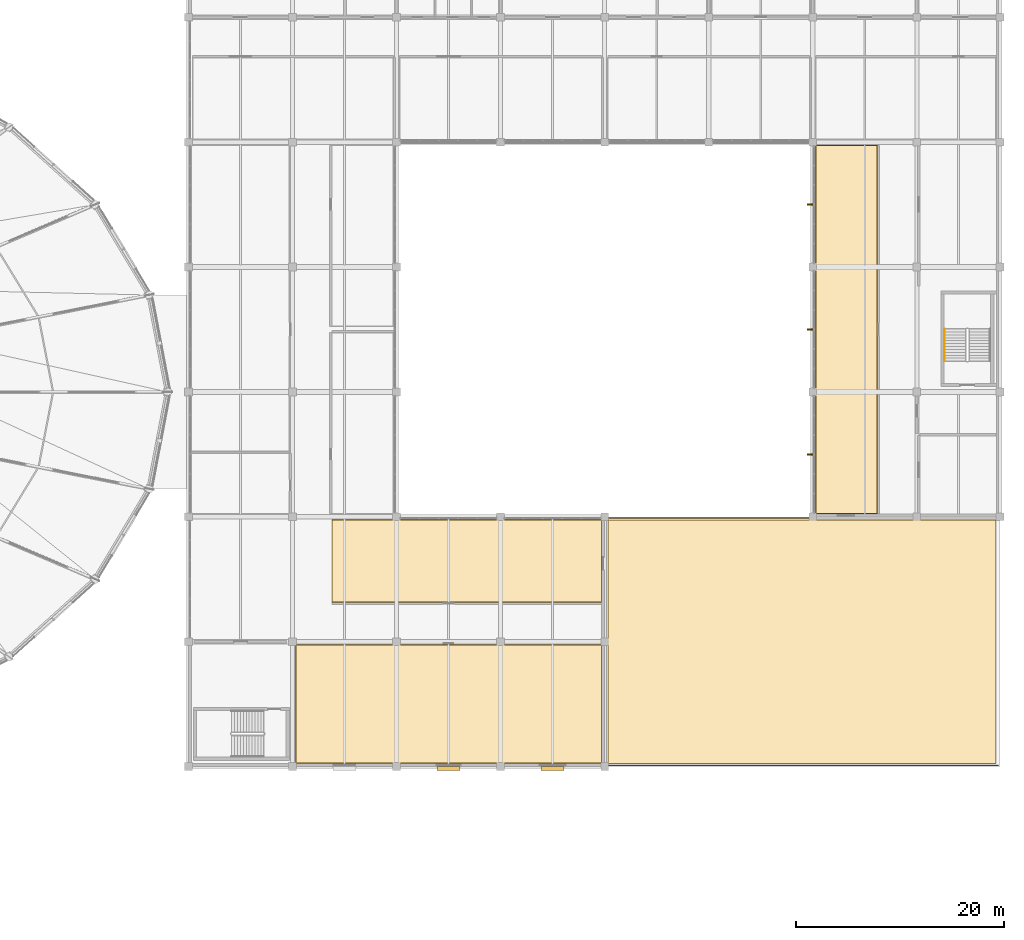
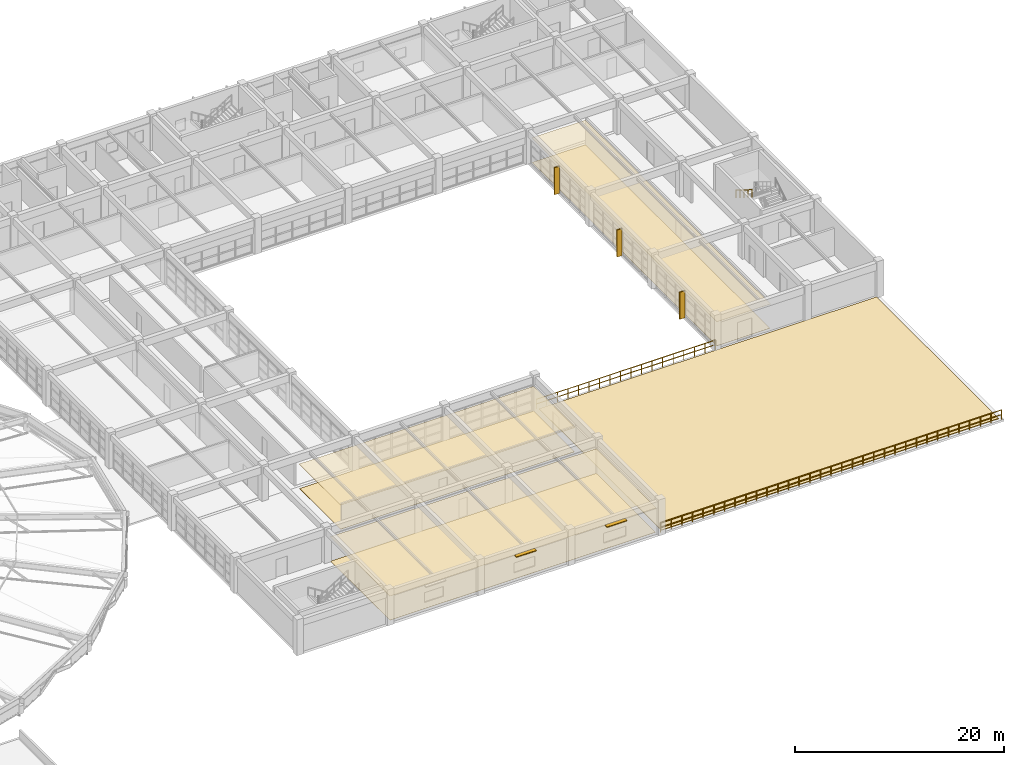
# One storey, part 80 of 83: 7 coverings, 5 shading devices, 3 railings.
"""IFC4 building model written with IfcOpenShell, lengths in metres."""

from ifc_helpers import new_model, si_unit, direction, frame, origin, origin_2d, place, context, subcontext, project, spatial, polyline, rectangle, circle, outline, extrude, material, layer, layer_set, type_object, element, save


model = new_model("IFC4")

# Units and contexts
model_context = context("Model", 3, precision=1e-05, world=origin(), true_north=direction((0.0, 1.0)))
body_context = subcontext(model_context, "Body", "Model", "MODEL_VIEW")
ifc_project = project(units=[si_unit("LENGTHUNIT", "METRE"), si_unit("AREAUNIT", "SQUARE_METRE"), si_unit("VOLUMEUNIT", "CUBIC_METRE"), si_unit("PLANEANGLEUNIT", "RADIAN"), si_unit("MASSUNIT", "GRAM", prefix="KILO")], contexts=[model_context])

# Site, building, storey
site_placement = place(None, origin())
site = spatial("IfcSite", under=ifc_project, at=site_placement, CompositionType="ELEMENT")
building_placement = place(site_placement, origin())
building = spatial("IfcBuilding", under=site, at=building_placement, Name="Kivolera Central Railway Station", CompositionType="ELEMENT")
storey_placement = place(building_placement, frame((0.0, 0.0, 14.39990234375)))
storey = spatial("IfcBuildingStorey", under=building, at=storey_placement, Name="L03", CompositionType="ELEMENT", Elevation=14.39990234375)

# Shading devices
ifc_material_1 = material(Name="Precast concrete C40/50", Category="concrete")
shading_device_type_1 = type_object("IfcShadingDeviceType", Name="BS-FIN-CRT", PredefinedType="USERDEFINED", material=ifc_material_1)
for number, where, z_axis, x_axis, name in (
    (1, (177.735107421875, 84.0, 0.000244140625), (0.0, 0.0, 1.0), (1.0, 0.0, 0.0), "L03 Courtyard East Solar Brise-Soleil Fin G"),
    (2, (177.735107421875, 96.0, 0.000244140625), (0.0, 0.0, 1.0), (1.0, 0.0, 0.0), "L03 Courtyard East Solar Brise-Soleil Fin H"),
    (3, (177.735107421875, 108.0, 0.000244140625), (0.0, 0.0, 1.0), (1.0, 0.0, 0.0), "L03 Courtyard East Solar Brise-Soleil Fin J"),
):
    element("IfcShadingDevice", number, at=place(storey_placement, frame(where, z_axis=z_axis, x_axis=x_axis)), inside=storey, type_object=shading_device_type_1, Name=name, ObjectType="FIN", PredefinedType="USERDEFINED", context=body_context, shape_type="SweptSolid", body=[
        extrude(rectangle(XDim=0.550048828125, YDim=0.139892578125, at=origin_2d()), origin(), (0.0, 0.0, 1.0), 3.14990234375),
    ])
ifc_material_2 = material(Name="Anodised aluminium", Category="aluminium")
ifc_layer_1 = layer(ifc_material_2, 0.080078125, Name="Anodised aluminium")
ifc_layer_set_1 = layer_set([ifc_layer_1], Name="Anodised aluminium")
shading_device_type_2 = type_object("IfcShadingDeviceType", Name="BS-LVR-B", PredefinedType="JALOUSIE", material=ifc_layer_set_1)
for number, where, z_axis, x_axis, name in (
    (4, (143.0, 53.80810546875, 3.010009765625), (0.0, 0.0, 1.0), (1.0, 0.0, 0.0), "L03 South Monsoon Window Sun-Louvre 138"),
    (5, (153.0, 53.80810546875, 3.010009765625), (0.0, 0.0, 1.0), (1.0, 0.0, 0.0), "L03 South Monsoon Window Sun-Louvre 148"),
):
    element("IfcShadingDevice", number, at=place(storey_placement, frame(where, z_axis=z_axis, x_axis=x_axis)), inside=storey, type_object=shading_device_type_2, Name=name, PredefinedType="JALOUSIE", context=body_context, shape_type="SweptSolid", body=[
        extrude(rectangle(XDim=2.199951171875, YDim=0.39990234375, at=origin_2d()), origin(), (0.0, 0.0, 1.0), 0.080078125),
    ])

# Coverings
ifc_material_3 = material(Name="Mineral fibre acoustic tile")
ifc_layer_2 = layer(ifc_material_3, 0.02001953125, Name="Mineral fibre acoustic tile")
ifc_layer_set_2 = layer_set([ifc_layer_2], Name="Mineral fibre acoustic tile")
covering_type_1 = type_object("IfcCoveringType", Name="COV-CEIL-20", PredefinedType="CEILING", material=ifc_layer_set_2)
covering_1_placement = place(storey_placement, frame((0.0, 0.0, 2.85009765625)))
element("IfcCovering", 6, at=covering_1_placement, inside=storey, type_object=covering_type_1, Name="L03 Monsoon Overlook Civic Reception Lounge Acoustic Ceiling", PredefinedType="CEILING", context=body_context, shape_type="SweptSolid", body=[
    extrude(outline(polyline([(178.280029296875, 78.280029296875), (184.219970703125, 78.280029296875), (184.219970703125, 113.719970703125), (178.280029296875, 113.719970703125), (178.280029296875, 78.280029296875)])), origin(), (0.0, 0.0, 1.0), 0.02001953125),
])
covering_2_placement = place(storey_placement, frame((0.0, 0.0, 2.85009765625)))
element("IfcCovering", 7, at=covering_2_placement, inside=storey, type_object=covering_type_1, Name="L03 Human Resources and Legal Office Acoustic Ceiling", PredefinedType="CEILING", context=body_context, shape_type="SweptSolid", body=[
    extrude(outline(polyline([(128.280029296875, 54.280029296875), (157.719970703125, 54.280029296875), (157.719970703125, 65.719970703125), (128.280029296875, 65.719970703125), (128.280029296875, 54.280029296875)])), origin(), (0.0, 0.0, 1.0), 0.02001953125),
])
ifc_material_4 = material(Name="Hardwood mvule timber", Category="wood")
ifc_layer_3 = layer(ifc_material_4, 0.02490234375, Name="Hardwood mvule timber")
ifc_layer_set_3 = layer_set([ifc_layer_3], Name="Hardwood mvule timber")
covering_type_2 = type_object("IfcCoveringType", Name="COV-CEIL-25", PredefinedType="CEILING", material=ifc_layer_set_3)
covering_3_placement = place(storey_placement, frame((0.0, 0.0, 2.85009765625)))
element("IfcCovering", 8, at=covering_3_placement, inside=storey, type_object=covering_type_2, Name="L03 South Overlook Pavilion Lounge Acoustic Ceiling", PredefinedType="CEILING", context=body_context, shape_type="SweptSolid", body=[
    extrude(outline(polyline([(131.780029296875, 69.780029296875), (157.719970703125, 69.780029296875), (157.719970703125, 77.719970703125), (131.780029296875, 77.719970703125), (131.780029296875, 69.780029296875)])), origin(), (0.0, 0.0, 1.0), 0.02490234375),
])
ifc_material_5 = material(Name="Terracotta clay tile", Category="masonry")
ifc_layer_4 = layer(ifc_material_5, 0.02197265625, Name="Terracotta clay tile")
ifc_layer_set_4 = layer_set([ifc_layer_4], Name="Terracotta clay tile")
covering_type_3 = type_object("IfcCoveringType", Name="COV-FLR-22", PredefinedType="FLOORING", material=ifc_layer_set_4)
covering_4_placement = place(storey_placement, origin())
element("IfcCovering", 9, at=covering_4_placement, inside=storey, type_object=covering_type_3, Name="L03 Monsoon Overlook Civic Reception Lounge Floor Finish", PredefinedType="FLOORING", context=body_context, shape_type="SweptSolid", body=[
    extrude(outline(polyline([(178.320068359375, 78.320068359375), (184.179931640625, 78.320068359375), (184.179931640625, 113.679931640625), (178.320068359375, 113.679931640625), (178.320068359375, 78.320068359375)])), origin(), (0.0, 0.0, 1.0), 0.022216796875),
])
covering_5_placement = place(storey_placement, origin())
element("IfcCovering", 10, at=covering_5_placement, inside=storey, type_object=covering_type_3, Name="L03 Human Resources and Legal Office Floor Finish", PredefinedType="FLOORING", context=body_context, shape_type="SweptSolid", body=[
    extrude(outline(polyline([(128.320068359375, 54.320068359375), (157.679931640625, 54.320068359375), (157.679931640625, 65.679931640625), (128.320068359375, 65.679931640625), (128.320068359375, 54.320068359375)])), origin(), (0.0, 0.0, 1.0), 0.022216796875),
])
covering_6_placement = place(storey_placement, origin())
element("IfcCovering", 11, at=covering_6_placement, inside=storey, type_object=covering_type_3, Name="L03 South Overlook Pavilion Lounge Floor Finish", PredefinedType="FLOORING", context=body_context, shape_type="SweptSolid", body=[
    extrude(outline(polyline([(131.820068359375, 69.820068359375), (157.679931640625, 69.820068359375), (157.679931640625, 77.679931640625), (131.820068359375, 77.679931640625), (131.820068359375, 69.820068359375)])), origin(), (0.0, 0.0, 1.0), 0.022216796875),
])
ifc_layer_5 = layer(ifc_material_5, 0.06494140625, Name="Terracotta clay tile")
ifc_layer_set_5 = layer_set([ifc_layer_5], Name="Terracotta clay tile")
covering_type_4 = type_object("IfcCoveringType", Name="COV-ROOF-TERR-65", PredefinedType="ROOFING", material=ifc_layer_set_5)
covering_7_placement = place(storey_placement, origin())
element("IfcCovering", 12, at=covering_7_placement, inside=storey, type_object=covering_type_4, Name="L03 Monsoon Roof Surfacing COV-L03-TER", PredefinedType="ROOFING", context=body_context, shape_type="SweptSolid", body=[
    extrude(outline(polyline([(158.300048828125, 54.300048828125), (195.60009765625, 54.300048828125), (195.60009765625, 77.699951171875), (158.300048828125, 77.699951171875), (158.300048828125, 54.300048828125)])), origin(), (0.0, 0.0, 1.0), 0.065185546875),
])

# Railings
ifc_layer_6 = layer(ifc_material_2, 0.048095703125, Name="Anodised aluminium")
ifc_layer_set_6 = layer_set([ifc_layer_6], Name="Anodised aluminium")
railing_type_1 = type_object("IfcRailingType", Name="RL-EXT-GUARD-1130", PredefinedType="GUARDRAIL", material=ifc_layer_set_6)
railing_1_placement = place(storey_placement, frame((158.10009765625, 54.10009765625, 0.0)))
element("IfcRailing", 13, at=railing_1_placement, inside=storey, type_object=railing_type_1, Name="L03 Protective Edge Guardrail TER-SE-S", PredefinedType="GUARDRAIL", context=body_context, shape_type="SweptSolid", body=[
    extrude(circle(Radius=0.02392578125, at=origin_2d()), frame((0.0, 0.0, 1.10595703125), z_axis=(1.0, 0.0, 0.0), x_axis=(0.0, 1.0, 0.0)), (0.0, 0.0, 1.0), 37.699951171875),
    extrude(circle(Radius=0.02392578125, at=origin_2d()), frame((0.0, 0.0, 0.56494140625), z_axis=(1.0, 0.0, 0.0), x_axis=(0.0, 1.0, 0.0)), (0.0, 0.0, 1.0), 37.699951171875),
    extrude(circle(Radius=0.02099609375, at=origin_2d()), origin(), (0.0, 0.0, 1.0), 1.081787109375),
    extrude(circle(Radius=0.02099609375, at=origin_2d()), frame((1.17822265625, 0.0, 0.0)), (0.0, 0.0, 1.0), 1.081787109375),
    extrude(circle(Radius=0.02099609375, at=origin_2d()), frame((2.356201171875, 0.0, 0.0)), (0.0, 0.0, 1.0), 1.081787109375),
    extrude(circle(Radius=0.02099609375, at=origin_2d()), frame((3.534423828125, 0.0, 0.0)), (0.0, 0.0, 1.0), 1.081787109375),
    extrude(circle(Radius=0.02099609375, at=origin_2d()), frame((4.71240234375, 0.0, 0.0)), (0.0, 0.0, 1.0), 1.081787109375),
    extrude(circle(Radius=0.02099609375, at=origin_2d()), frame((5.890625, 0.0, 0.0)), (0.0, 0.0, 1.0), 1.081787109375),
    extrude(circle(Radius=0.02099609375, at=origin_2d()), frame((7.06884765625, 0.0, 0.0)), (0.0, 0.0, 1.0), 1.081787109375),
    extrude(circle(Radius=0.02099609375, at=origin_2d()), frame((8.246826171875, 0.0, 0.0)), (0.0, 0.0, 1.0), 1.081787109375),
    extrude(circle(Radius=0.02099609375, at=origin_2d()), frame((9.425048828125, 0.0, 0.0)), (0.0, 0.0, 1.0), 1.081787109375),
    extrude(circle(Radius=0.02099609375, at=origin_2d()), frame((10.60302734375, 0.0, 0.0)), (0.0, 0.0, 1.0), 1.081787109375),
    extrude(circle(Radius=0.02099609375, at=origin_2d()), frame((11.78125, 0.0, 0.0)), (0.0, 0.0, 1.0), 1.081787109375),
    extrude(circle(Radius=0.02099609375, at=origin_2d()), frame((12.95947265625, 0.0, 0.0)), (0.0, 0.0, 1.0), 1.081787109375),
    extrude(circle(Radius=0.02099609375, at=origin_2d()), frame((14.137451171875, 0.0, 0.0)), (0.0, 0.0, 1.0), 1.081787109375),
    extrude(circle(Radius=0.02099609375, at=origin_2d()), frame((15.315673828125, 0.0, 0.0)), (0.0, 0.0, 1.0), 1.081787109375),
    extrude(circle(Radius=0.02099609375, at=origin_2d()), frame((16.49365234375, 0.0, 0.0)), (0.0, 0.0, 1.0), 1.081787109375),
    extrude(circle(Radius=0.02099609375, at=origin_2d()), frame((17.671875, 0.0, 0.0)), (0.0, 0.0, 1.0), 1.081787109375),
    extrude(circle(Radius=0.02099609375, at=origin_2d()), frame((18.85009765625, 0.0, 0.0)), (0.0, 0.0, 1.0), 1.081787109375),
    extrude(circle(Radius=0.02099609375, at=origin_2d()), frame((20.028076171875, 0.0, 0.0)), (0.0, 0.0, 1.0), 1.081787109375),
    extrude(circle(Radius=0.02099609375, at=origin_2d()), frame((21.206298828125, 0.0, 0.0)), (0.0, 0.0, 1.0), 1.081787109375),
    extrude(circle(Radius=0.02099609375, at=origin_2d()), frame((22.38427734375, 0.0, 0.0)), (0.0, 0.0, 1.0), 1.081787109375),
    extrude(circle(Radius=0.02099609375, at=origin_2d()), frame((23.5625, 0.0, 0.0)), (0.0, 0.0, 1.0), 1.081787109375),
    extrude(circle(Radius=0.02099609375, at=origin_2d()), frame((24.740478515625, 0.0, 0.0)), (0.0, 0.0, 1.0), 1.081787109375),
    extrude(circle(Radius=0.02099609375, at=origin_2d()), frame((25.918701171875, 0.0, 0.0)), (0.0, 0.0, 1.0), 1.081787109375),
    extrude(circle(Radius=0.02099609375, at=origin_2d()), frame((27.096923828125, 0.0, 0.0)), (0.0, 0.0, 1.0), 1.081787109375),
    extrude(circle(Radius=0.02099609375, at=origin_2d()), frame((28.27490234375, 0.0, 0.0)), (0.0, 0.0, 1.0), 1.081787109375),
    extrude(circle(Radius=0.02099609375, at=origin_2d()), frame((29.453125, 0.0, 0.0)), (0.0, 0.0, 1.0), 1.081787109375),
    extrude(circle(Radius=0.02099609375, at=origin_2d()), frame((30.631103515625, 0.0, 0.0)), (0.0, 0.0, 1.0), 1.081787109375),
    extrude(circle(Radius=0.02099609375, at=origin_2d()), frame((31.809326171875, 0.0, 0.0)), (0.0, 0.0, 1.0), 1.081787109375),
    extrude(circle(Radius=0.02099609375, at=origin_2d()), frame((32.987548828125, 0.0, 0.0)), (0.0, 0.0, 1.0), 1.081787109375),
    extrude(circle(Radius=0.02099609375, at=origin_2d()), frame((34.16552734375, 0.0, 0.0)), (0.0, 0.0, 1.0), 1.081787109375),
    extrude(circle(Radius=0.02099609375, at=origin_2d()), frame((35.34375, 0.0, 0.0)), (0.0, 0.0, 1.0), 1.081787109375),
    extrude(circle(Radius=0.02099609375, at=origin_2d()), frame((36.521728515625, 0.0, 0.0)), (0.0, 0.0, 1.0), 1.081787109375),
    extrude(circle(Radius=0.02099609375, at=origin_2d()), frame((37.699951171875, 0.0, 0.0)), (0.0, 0.0, 1.0), 1.081787109375),
])
railing_2_placement = place(storey_placement, frame((158.10009765625, 77.89990234375, 0.0)))
element("IfcRailing", 14, at=railing_2_placement, inside=storey, type_object=railing_type_1, Name="L03 Protective Edge Guardrail TER-SE-N", PredefinedType="GUARDRAIL", context=body_context, shape_type="SweptSolid", body=[
    extrude(circle(Radius=0.02392578125, at=origin_2d()), frame((0.0, 0.0, 1.10595703125), z_axis=(1.0, 0.0, 0.0), x_axis=(0.0, 1.0, 0.0)), (0.0, 0.0, 1.0), 19.7998046875),
    extrude(circle(Radius=0.02392578125, at=origin_2d()), frame((0.0, 0.0, 0.56494140625), z_axis=(1.0, 0.0, 0.0), x_axis=(0.0, 1.0, 0.0)), (0.0, 0.0, 1.0), 19.7998046875),
    extrude(circle(Radius=0.02099609375, at=origin_2d()), origin(), (0.0, 0.0, 1.0), 1.081787109375),
    extrude(circle(Radius=0.02099609375, at=origin_2d()), frame((1.164794921875, 0.0, 0.0)), (0.0, 0.0, 1.0), 1.081787109375),
    extrude(circle(Radius=0.02099609375, at=origin_2d()), frame((2.329345703125, 0.0, 0.0)), (0.0, 0.0, 1.0), 1.081787109375),
    extrude(circle(Radius=0.02099609375, at=origin_2d()), frame((3.494140625, 0.0, 0.0)), (0.0, 0.0, 1.0), 1.081787109375),
    extrude(circle(Radius=0.02099609375, at=origin_2d()), frame((4.65869140625, 0.0, 0.0)), (0.0, 0.0, 1.0), 1.081787109375),
    extrude(circle(Radius=0.02099609375, at=origin_2d()), frame((5.823486328125, 0.0, 0.0)), (0.0, 0.0, 1.0), 1.081787109375),
    extrude(circle(Radius=0.02099609375, at=origin_2d()), frame((6.98828125, 0.0, 0.0)), (0.0, 0.0, 1.0), 1.081787109375),
    extrude(circle(Radius=0.02099609375, at=origin_2d()), frame((8.15283203125, 0.0, 0.0)), (0.0, 0.0, 1.0), 1.081787109375),
    extrude(circle(Radius=0.02099609375, at=origin_2d()), frame((9.317626953125, 0.0, 0.0)), (0.0, 0.0, 1.0), 1.081787109375),
    extrude(circle(Radius=0.02099609375, at=origin_2d()), frame((10.482177734375, 0.0, 0.0)), (0.0, 0.0, 1.0), 1.081787109375),
    extrude(circle(Radius=0.02099609375, at=origin_2d()), frame((11.64697265625, 0.0, 0.0)), (0.0, 0.0, 1.0), 1.081787109375),
    extrude(circle(Radius=0.02099609375, at=origin_2d()), frame((12.8115234375, 0.0, 0.0)), (0.0, 0.0, 1.0), 1.081787109375),
    extrude(circle(Radius=0.02099609375, at=origin_2d()), frame((13.976318359375, 0.0, 0.0)), (0.0, 0.0, 1.0), 1.081787109375),
    extrude(circle(Radius=0.02099609375, at=origin_2d()), frame((15.14111328125, 0.0, 0.0)), (0.0, 0.0, 1.0), 1.081787109375),
    extrude(circle(Radius=0.02099609375, at=origin_2d()), frame((16.3056640625, 0.0, 0.0)), (0.0, 0.0, 1.0), 1.081787109375),
    extrude(circle(Radius=0.02099609375, at=origin_2d()), frame((17.470458984375, 0.0, 0.0)), (0.0, 0.0, 1.0), 1.081787109375),
    extrude(circle(Radius=0.02099609375, at=origin_2d()), frame((18.635009765625, 0.0, 0.0)), (0.0, 0.0, 1.0), 1.081787109375),
    extrude(circle(Radius=0.02099609375, at=origin_2d()), frame((19.7998046875, 0.0, 0.0)), (0.0, 0.0, 1.0), 1.081787109375),
])
ifc_layer_7 = layer(ifc_material_2, 0.048095703125, Name="Anodised aluminium")
ifc_layer_set_7 = layer_set([ifc_layer_7], Name="Anodised aluminium")
railing_type_2 = type_object("IfcRailingType", Name="RL-STAIR-HAND", PredefinedType="HANDRAIL", material=ifc_layer_set_7)
railing_3_placement = place(storey_placement, frame((190.64990234375, 96.0400390625, 2.275146484375)))
element("IfcRailing", 15, at=railing_3_placement, inside=storey, type_object=railing_type_2, Name="L03 ST11 stair handrail 2", PredefinedType="HANDRAIL", context=body_context, shape_type="SweptSolid", body=[
    extrude(circle(Radius=0.02392578125, at=origin_2d()), frame((0.0, 0.0, 0.8759765625), z_axis=(0.0, -0.847998304005, 0.529998940003), x_axis=(1.0, 0.0, 0.0)), (0.0, 0.0, 1.0), 3.632080078125),
    extrude(circle(Radius=0.02099609375, at=origin_2d()), origin(), (0.0, 0.0, 1.0), 0.851806640625),
    extrude(circle(Radius=0.02099609375, at=origin_2d()), frame((0.0, -0.77001953125, 0.481201171875)), (0.0, 0.0, 1.0), 0.851806640625),
    extrude(circle(Radius=0.02099609375, at=origin_2d()), frame((0.0, -1.5400390625, 0.96240234375)), (0.0, 0.0, 1.0), 0.851806640625),
    extrude(circle(Radius=0.02099609375, at=origin_2d()), frame((0.0, -2.31005859375, 1.44384765625)), (0.0, 0.0, 1.0), 0.851806640625),
    extrude(circle(Radius=0.02099609375, at=origin_2d()), frame((0.0, -3.080078125, 1.925048828125)), (0.0, 0.0, 1.0), 0.851806640625),
])

save(model, "model.ifc")
